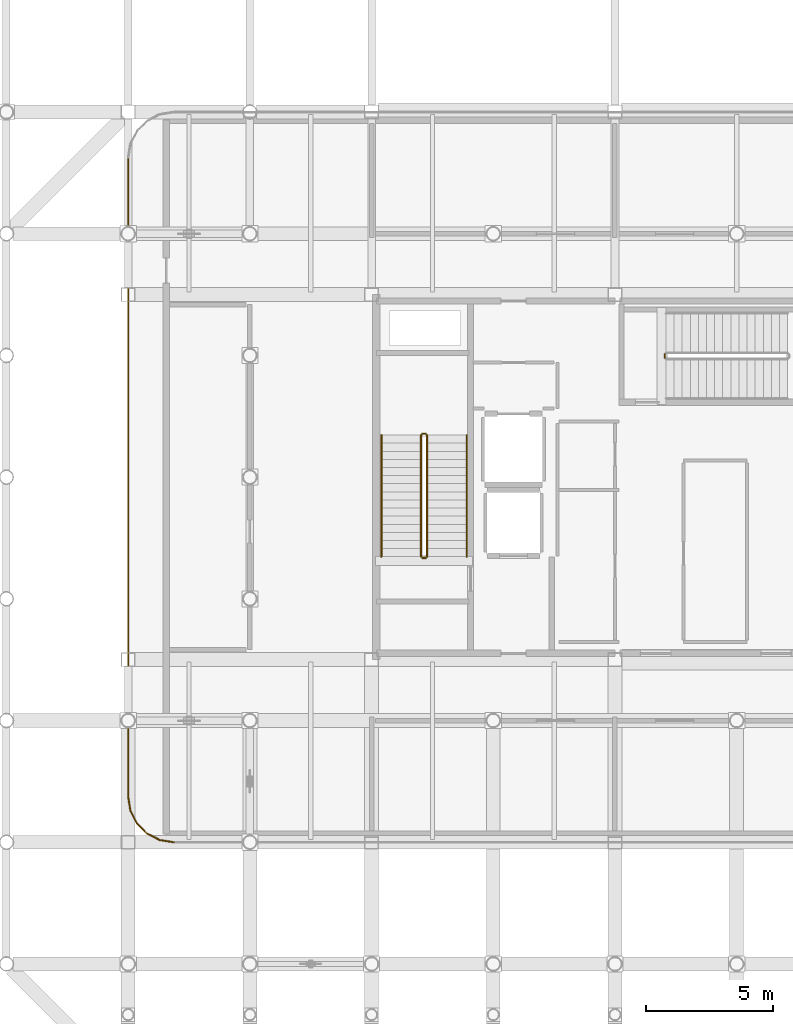
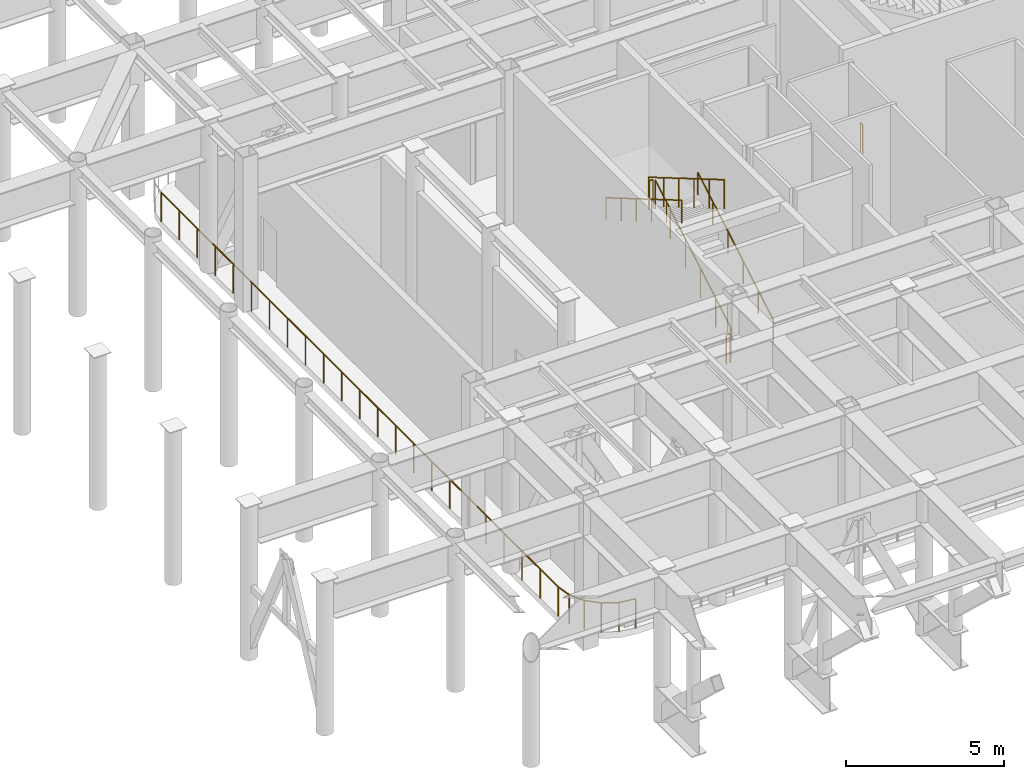
# One storey, part 17 of 20: 13 railings.
"""IFC4 building model written with IfcOpenShell, lengths in metres."""

from ifc_helpers import new_model, si_unit, direction, frame, origin, origin_2d, place, context, subcontext, project, spatial, circle, extrude, material, layer, layer_set, type_object, element, save


model = new_model("IFC4")

# Units and contexts
model_context = context("Model", 3, precision=1e-05, world=origin(), true_north=direction((0.0, 1.0)))
body_context = subcontext(model_context, "Body", "Model", "MODEL_VIEW")
ifc_project = project(units=[si_unit("LENGTHUNIT", "METRE"), si_unit("AREAUNIT", "SQUARE_METRE"), si_unit("VOLUMEUNIT", "CUBIC_METRE"), si_unit("PLANEANGLEUNIT", "RADIAN"), si_unit("MASSUNIT", "GRAM", prefix="KILO")], contexts=[model_context])

# Site, building, storey
site_placement = place(None, origin())
site = spatial("IfcSite", under=ifc_project, at=site_placement, CompositionType="ELEMENT")
building_placement = place(site_placement, origin())
building = spatial("IfcBuilding", under=site, at=building_placement, Name="Kallvorn Hotel Tower", CompositionType="ELEMENT")
storey_placement = place(building_placement, frame((0.0, 0.0, 276.199951171875)))
storey = spatial("IfcBuildingStorey", under=building, at=storey_placement, Name="L69", CompositionType="ELEMENT", Elevation=276.199951171875)

# Railings
ifc_material_1 = material(Name="Brushed stainless-steel tubular railing", Category="steel")
ifc_layer_1 = layer(ifc_material_1, 0.050048828125)
ifc_layer_set_1 = layer_set([ifc_layer_1], Name="RL_STAIR_GUARD")
railing_type_1 = type_object("IfcRailingType", Name="RL_STAIR_GUARD", PredefinedType="GUARDRAIL", material=ifc_layer_set_1)
railing_1_placement = place(storey_placement, frame((-12.2099609375, -3.139892578125, 0.1875)))
element("IfcRailing", 1, at=railing_1_placement, inside=storey, type_object=railing_type_1, Name="L69 ST1 stair guard 1", PredefinedType="GUARDRAIL", context=body_context, shape_type="SweptSolid", body=[
    extrude(circle(Radius=0.02392578125, at=origin_2d()), frame((0.0, 0.0, 1.1259765625), z_axis=(0.0, 0.862790387251, 0.505561813893), x_axis=(-1.0, 0.0, 0.0)), (0.0, 0.0, 1.0), 5.563232421875),
    extrude(circle(Radius=0.02099609375, at=origin_2d()), origin(), (0.0, 0.0, 1.0), 1.101806640625),
    extrude(circle(Radius=0.02099609375, at=origin_2d()), frame((0.0, 0.9599609375, 0.5625)), (0.0, 0.0, 1.0), 1.101806640625),
    extrude(circle(Radius=0.02099609375, at=origin_2d()), frame((0.0, 1.919921875, 1.125)), (0.0, 0.0, 1.0), 1.101806640625),
    extrude(circle(Radius=0.02099609375, at=origin_2d()), frame((0.0, 2.8798828125, 1.6875)), (0.0, 0.0, 1.0), 1.101806640625),
    extrude(circle(Radius=0.02099609375, at=origin_2d()), frame((0.0, 3.83984375, 2.25)), (0.0, 0.0, 1.0), 1.101806640625),
    extrude(circle(Radius=0.02099609375, at=origin_2d()), frame((0.0, 4.7998046875, 2.8125)), (0.0, 0.0, 1.0), 1.101806640625),
])
railing_2_placement = place(storey_placement, frame((-12.260009765625, 1.7099609375, 3.0)))
element("IfcRailing", 2, at=railing_2_placement, inside=storey, type_object=railing_type_1, Name="L69 ST1 stair guard 2", PredefinedType="GUARDRAIL", context=body_context, shape_type="SweptSolid", body=[
    extrude(circle(Radius=0.02392578125, at=origin_2d()), frame((0.0, 0.0, 1.1259765625), z_axis=(-1.0, 0.0, 0.0), x_axis=(0.0, -1.0, 0.0)), (0.0, 0.0, 1.0), 0.139892578125),
    extrude(circle(Radius=0.02099609375, at=origin_2d()), origin(), (0.0, 0.0, 1.0), 1.101806640625),
    extrude(circle(Radius=0.02099609375, at=origin_2d()), frame((-0.139892578125, 0.0, 0.0)), (0.0, 0.0, 1.0), 1.101806640625),
])
railing_3_placement = place(storey_placement, frame((-12.449951171875, 1.659912109375, 3.1875)))
element("IfcRailing", 3, at=railing_3_placement, inside=storey, type_object=railing_type_1, Name="L69 ST1 stair guard 3", PredefinedType="GUARDRAIL", context=body_context, shape_type="SweptSolid", body=[
    extrude(circle(Radius=0.02392578125, at=origin_2d()), frame((0.0, 0.0, 1.1259765625), z_axis=(0.0, -0.862790387251, 0.505561813893), x_axis=(1.0, 0.0, 0.0)), (0.0, 0.0, 1.0), 5.563232421875),
    extrude(circle(Radius=0.02099609375, at=origin_2d()), origin(), (0.0, 0.0, 1.0), 1.101806640625),
    extrude(circle(Radius=0.02099609375, at=origin_2d()), frame((0.0, -0.9599609375, 0.5625)), (0.0, 0.0, 1.0), 1.101806640625),
    extrude(circle(Radius=0.02099609375, at=origin_2d()), frame((0.0, -1.919921875, 1.125)), (0.0, 0.0, 1.0), 1.101806640625),
    extrude(circle(Radius=0.02099609375, at=origin_2d()), frame((0.0, -2.8798828125, 1.6875)), (0.0, 0.0, 1.0), 1.101806640625),
    extrude(circle(Radius=0.02099609375, at=origin_2d()), frame((0.0, -3.83984375, 2.25)), (0.0, 0.0, 1.0), 1.101806640625),
    extrude(circle(Radius=0.02099609375, at=origin_2d()), frame((0.0, -4.7998046875, 2.8125)), (0.0, 0.0, 1.0), 1.101806640625),
])
railing_4_placement = place(storey_placement, frame((-12.260009765625, -3.18994140625, 0.0)))
element("IfcRailing", 4, at=railing_4_placement, inside=storey, type_object=railing_type_1, Name="L69 ST1 stair guard 4", PredefinedType="GUARDRAIL", context=body_context, shape_type="SweptSolid", body=[
    extrude(circle(Radius=0.02392578125, at=origin_2d()), frame((0.0, 0.0, 1.1259765625), z_axis=(-1.0, 0.0, 0.0), x_axis=(0.0, -1.0, 0.0)), (0.0, 0.0, 1.0), 0.139892578125),
    extrude(circle(Radius=0.02099609375, at=origin_2d()), origin(), (0.0, 0.0, 1.0), 1.101806640625),
    extrude(circle(Radius=0.02099609375, at=origin_2d()), frame((-0.139892578125, 0.0, 0.0)), (0.0, 0.0, 1.0), 1.101806640625),
])
railing_5_placement = place(storey_placement, frame((-2.840087890625, 4.7099609375, 0.0)))
element("IfcRailing", 5, at=railing_5_placement, inside=storey, type_object=railing_type_1, Name="L69 ST3 stair guard 4", PredefinedType="GUARDRAIL", context=body_context, shape_type="SweptSolid", body=[
    extrude(circle(Radius=0.02392578125, at=origin_2d()), frame((0.0, 0.0, 1.1259765625), z_axis=(0.0, 1.0, 0.0), x_axis=(-1.0, 0.0, 0.0)), (0.0, 0.0, 1.0), 0.14013671875),
    extrude(circle(Radius=0.02099609375, at=origin_2d()), origin(), (0.0, 0.0, 1.0), 1.101806640625),
    extrude(circle(Radius=0.02099609375, at=origin_2d()), frame((0.0, 0.14013671875, 0.0)), (0.0, 0.0, 1.0), 1.101806640625),
])
ifc_material_2 = material(Name="Brushed stainless-steel tubular railing", Category="steel")
ifc_layer_2 = layer(ifc_material_2, 0.050048828125)
ifc_layer_set_2 = layer_set([ifc_layer_2], Name="RL_STAIR_HAND")
railing_type_2 = type_object("IfcRailingType", Name="RL_STAIR_HAND", PredefinedType="HANDRAIL", material=ifc_layer_set_2)
railing_6_placement = place(storey_placement, frame((-10.64990234375, -3.139892578125, 0.1875)))
element("IfcRailing", 6, at=railing_6_placement, inside=storey, type_object=railing_type_2, Name="L69 ST1 stair handrail 1", PredefinedType="HANDRAIL", context=body_context, shape_type="SweptSolid", body=[
    extrude(circle(Radius=0.02392578125, at=origin_2d()), frame((0.0, 0.0, 0.8759765625), z_axis=(0.0, 0.862790387251, 0.505561813893), x_axis=(-1.0, 0.0, 0.0)), (0.0, 0.0, 1.0), 5.563232421875),
    extrude(circle(Radius=0.02099609375, at=origin_2d()), origin(), (0.0, 0.0, 1.0), 0.851806640625),
    extrude(circle(Radius=0.02099609375, at=origin_2d()), frame((0.0, 0.9599609375, 0.5625)), (0.0, 0.0, 1.0), 0.851806640625),
    extrude(circle(Radius=0.02099609375, at=origin_2d()), frame((0.0, 1.919921875, 1.125)), (0.0, 0.0, 1.0), 0.851806640625),
    extrude(circle(Radius=0.02099609375, at=origin_2d()), frame((0.0, 2.8798828125, 1.6875)), (0.0, 0.0, 1.0), 0.851806640625),
    extrude(circle(Radius=0.02099609375, at=origin_2d()), frame((0.0, 3.83984375, 2.25)), (0.0, 0.0, 1.0), 0.851806640625),
    extrude(circle(Radius=0.02099609375, at=origin_2d()), frame((0.0, 4.7998046875, 2.8125)), (0.0, 0.0, 1.0), 0.851806640625),
])
railing_7_placement = place(storey_placement, frame((-14.010009765625, 1.659912109375, 3.1875)))
element("IfcRailing", 7, at=railing_7_placement, inside=storey, type_object=railing_type_2, Name="L69 ST1 stair handrail 2", PredefinedType="HANDRAIL", context=body_context, shape_type="SweptSolid", body=[
    extrude(circle(Radius=0.02392578125, at=origin_2d()), frame((0.0, 0.0, 0.8759765625), z_axis=(0.0, -0.862790387251, 0.505561813893), x_axis=(1.0, 0.0, 0.0)), (0.0, 0.0, 1.0), 5.563232421875),
    extrude(circle(Radius=0.02099609375, at=origin_2d()), origin(), (0.0, 0.0, 1.0), 0.851806640625),
    extrude(circle(Radius=0.02099609375, at=origin_2d()), frame((0.0, -0.9599609375, 0.5625)), (0.0, 0.0, 1.0), 0.851806640625),
    extrude(circle(Radius=0.02099609375, at=origin_2d()), frame((0.0, -1.919921875, 1.125)), (0.0, 0.0, 1.0), 0.851806640625),
    extrude(circle(Radius=0.02099609375, at=origin_2d()), frame((0.0, -2.8798828125, 1.6875)), (0.0, 0.0, 1.0), 0.851806640625),
    extrude(circle(Radius=0.02099609375, at=origin_2d()), frame((0.0, -3.83984375, 2.25)), (0.0, 0.0, 1.0), 0.851806640625),
    extrude(circle(Radius=0.02099609375, at=origin_2d()), frame((0.0, -4.7998046875, 2.8125)), (0.0, 0.0, 1.0), 0.851806640625),
])
ifc_material_3 = material(Name="Galvanised painted steel S275JR balustrade", Category="steel")
ifc_layer_3 = layer(ifc_material_3, 0.06005859375)
ifc_layer_set_3 = layer_set([ifc_layer_3], Name="RL_WIND_GUARD_1150")
railing_type_3 = type_object("IfcRailingType", Name="RL_WIND_GUARD_1150", PredefinedType="GUARDRAIL", material=ifc_layer_set_3)
railing_8_placement = place(storey_placement, frame((-24.0, 12.60009765625, 0.0)))
element("IfcRailing", 8, at=railing_8_placement, inside=storey, type_object=railing_type_3, Name="L69 Exterior Safety Guardrail WIND-L69-18", PredefinedType="GUARDRAIL", context=body_context, shape_type="SweptSolid", body=[
    extrude(circle(Radius=0.02392578125, at=origin_2d()), frame((0.0, 0.0, 1.1259765625), z_axis=(0.0, -1.0, 0.0), x_axis=(1.0, 0.0, 0.0)), (0.0, 0.0, 1.0), 25.2001953125),
    extrude(circle(Radius=0.02099609375, at=origin_2d()), origin(), (0.0, 0.0, 1.0), 1.101806640625),
    extrude(circle(Radius=0.02099609375, at=origin_2d()), frame((0.0, -1.1455078125, 0.0)), (0.0, 0.0, 1.0), 1.101806640625),
    extrude(circle(Radius=0.02099609375, at=origin_2d()), frame((0.0, -2.291015625, 0.0)), (0.0, 0.0, 1.0), 1.101806640625),
    extrude(circle(Radius=0.02099609375, at=origin_2d()), frame((0.0, -3.436279296875, 0.0)), (0.0, 0.0, 1.0), 1.101806640625),
    extrude(circle(Radius=0.02099609375, at=origin_2d()), frame((0.0, -4.581787109375, 0.0)), (0.0, 0.0, 1.0), 1.101806640625),
    extrude(circle(Radius=0.02099609375, at=origin_2d()), frame((0.0, -5.727294921875, 0.0)), (0.0, 0.0, 1.0), 1.101806640625),
    extrude(circle(Radius=0.02099609375, at=origin_2d()), frame((0.0, -6.872802734375, 0.0)), (0.0, 0.0, 1.0), 1.101806640625),
    extrude(circle(Radius=0.02099609375, at=origin_2d()), frame((0.0, -8.018310546875, 0.0)), (0.0, 0.0, 1.0), 1.101806640625),
    extrude(circle(Radius=0.02099609375, at=origin_2d()), frame((0.0, -9.163818359375, 0.0)), (0.0, 0.0, 1.0), 1.101806640625),
    extrude(circle(Radius=0.02099609375, at=origin_2d()), frame((0.0, -10.30908203125, 0.0)), (0.0, 0.0, 1.0), 1.101806640625),
    extrude(circle(Radius=0.02099609375, at=origin_2d()), frame((0.0, -11.45458984375, 0.0)), (0.0, 0.0, 1.0), 1.101806640625),
    extrude(circle(Radius=0.02099609375, at=origin_2d()), frame((0.0, -12.60009765625, 0.0)), (0.0, 0.0, 1.0), 1.101806640625),
    extrude(circle(Radius=0.02099609375, at=origin_2d()), frame((0.0, -13.74560546875, 0.0)), (0.0, 0.0, 1.0), 1.101806640625),
    extrude(circle(Radius=0.02099609375, at=origin_2d()), frame((0.0, -14.89111328125, 0.0)), (0.0, 0.0, 1.0), 1.101806640625),
    extrude(circle(Radius=0.02099609375, at=origin_2d()), frame((0.0, -16.036376953125, 0.0)), (0.0, 0.0, 1.0), 1.101806640625),
    extrude(circle(Radius=0.02099609375, at=origin_2d()), frame((0.0, -17.181884765625, 0.0)), (0.0, 0.0, 1.0), 1.101806640625),
    extrude(circle(Radius=0.02099609375, at=origin_2d()), frame((0.0, -18.327392578125, 0.0)), (0.0, 0.0, 1.0), 1.101806640625),
    extrude(circle(Radius=0.02099609375, at=origin_2d()), frame((0.0, -19.472900390625, 0.0)), (0.0, 0.0, 1.0), 1.101806640625),
    extrude(circle(Radius=0.02099609375, at=origin_2d()), frame((0.0, -20.618408203125, 0.0)), (0.0, 0.0, 1.0), 1.101806640625),
    extrude(circle(Radius=0.02099609375, at=origin_2d()), frame((0.0, -21.763916015625, 0.0)), (0.0, 0.0, 1.0), 1.101806640625),
    extrude(circle(Radius=0.02099609375, at=origin_2d()), frame((0.0, -22.9091796875, 0.0)), (0.0, 0.0, 1.0), 1.101806640625),
    extrude(circle(Radius=0.02099609375, at=origin_2d()), frame((0.0, -24.0546875, 0.0)), (0.0, 0.0, 1.0), 1.101806640625),
    extrude(circle(Radius=0.02099609375, at=origin_2d()), frame((0.0, -25.2001953125, 0.0)), (0.0, 0.0, 1.0), 1.101806640625),
])
railing_9_placement = place(storey_placement, frame((-24.0, -12.60009765625, 0.0)))
element("IfcRailing", 9, at=railing_9_placement, inside=storey, type_object=railing_type_3, Name="L69 Exterior Safety Guardrail WIND-L69-19", PredefinedType="GUARDRAIL", context=body_context, shape_type="SweptSolid", body=[
    extrude(circle(Radius=0.02392578125, at=origin_2d()), frame((0.0, 0.0, 1.1259765625), z_axis=(0.156519160234, -0.987674922472, 0.0), x_axis=(0.987674922472, 0.156519160234, 0.0)), (0.0, 0.0, 1.0), 0.56298828125),
    extrude(circle(Radius=0.02099609375, at=origin_2d()), origin(), (0.0, 0.0, 1.0), 1.101806640625),
    extrude(circle(Radius=0.02099609375, at=origin_2d()), frame((0.088134765625, -0.55615234375, 0.0)), (0.0, 0.0, 1.0), 1.101806640625),
])
railing_10_placement = place(storey_placement, frame((-23.911865234375, -13.15625, 0.0)))
element("IfcRailing", 10, at=railing_10_placement, inside=storey, type_object=railing_type_3, Name="L69 Exterior Safety Guardrail WIND-L69-20", PredefinedType="GUARDRAIL", context=body_context, shape_type="SweptSolid", body=[
    extrude(circle(Radius=0.02392578125, at=origin_2d()), frame((0.0, 0.0, 1.1259765625), z_axis=(0.453964752271, -0.89101964271, 0.0), x_axis=(0.89101964271, 0.453964752271, 0.0)), (0.0, 0.0, 1.0), 0.56298828125),
    extrude(circle(Radius=0.02099609375, at=origin_2d()), origin(), (0.0, 0.0, 1.0), 1.101806640625),
    extrude(circle(Radius=0.02099609375, at=origin_2d()), frame((0.255615234375, -0.501708984375, 0.0)), (0.0, 0.0, 1.0), 1.101806640625),
])
railing_11_placement = place(storey_placement, frame((-23.65625, -13.657958984375, 0.0)))
element("IfcRailing", 11, at=railing_11_placement, inside=storey, type_object=railing_type_3, Name="L69 Exterior Safety Guardrail WIND-L69-21", PredefinedType="GUARDRAIL", context=body_context, shape_type="SweptSolid", body=[
    extrude(circle(Radius=0.02392578125, at=origin_2d()), frame((0.0, 0.0, 1.1259765625), z_axis=(0.707106781187, -0.707106781187, 0.0), x_axis=(0.707106781187, 0.707106781187, 0.0)), (0.0, 0.0, 1.0), 0.563232421875),
    extrude(circle(Radius=0.02099609375, at=origin_2d()), origin(), (0.0, 0.0, 1.0), 1.101806640625),
    extrude(circle(Radius=0.02099609375, at=origin_2d()), frame((0.398193359375, -0.398193359375, 0.0)), (0.0, 0.0, 1.0), 1.101806640625),
])
railing_12_placement = place(storey_placement, frame((-23.258056640625, -14.05615234375, 0.0)))
element("IfcRailing", 12, at=railing_12_placement, inside=storey, type_object=railing_type_3, Name="L69 Exterior Safety Guardrail WIND-L69-22", PredefinedType="GUARDRAIL", context=body_context, shape_type="SweptSolid", body=[
    extrude(circle(Radius=0.02392578125, at=origin_2d()), frame((0.0, 0.0, 1.1259765625), z_axis=(0.89093365011, -0.454133494803, 0.0), x_axis=(0.454133494803, 0.89093365011, 0.0)), (0.0, 0.0, 1.0), 0.5634765625),
    extrude(circle(Radius=0.02099609375, at=origin_2d()), origin(), (0.0, 0.0, 1.0), 1.101806640625),
    extrude(circle(Radius=0.02099609375, at=origin_2d()), frame((0.501953125, -0.255859375, 0.0)), (0.0, 0.0, 1.0), 1.101806640625),
])
railing_13_placement = place(storey_placement, frame((-22.756103515625, -14.31201171875, 0.0)))
element("IfcRailing", 13, at=railing_13_placement, inside=storey, type_object=railing_type_3, Name="L69 Exterior Safety Guardrail WIND-L69-23", PredefinedType="GUARDRAIL", context=body_context, shape_type="SweptSolid", body=[
    extrude(circle(Radius=0.02392578125, at=origin_2d()), frame((0.0, 0.0, 1.1259765625), z_axis=(0.987741862218, -0.156096167866, 0.0), x_axis=(0.156096167866, 0.987741862218, 0.0)), (0.0, 0.0, 1.0), 0.56298828125),
    extrude(circle(Radius=0.02099609375, at=origin_2d()), origin(), (0.0, 0.0, 1.0), 1.101806640625),
    extrude(circle(Radius=0.02099609375, at=origin_2d()), frame((0.55615234375, -0.087890625, 0.0)), (0.0, 0.0, 1.0), 1.101806640625),
])

save(model, "model.ifc")
